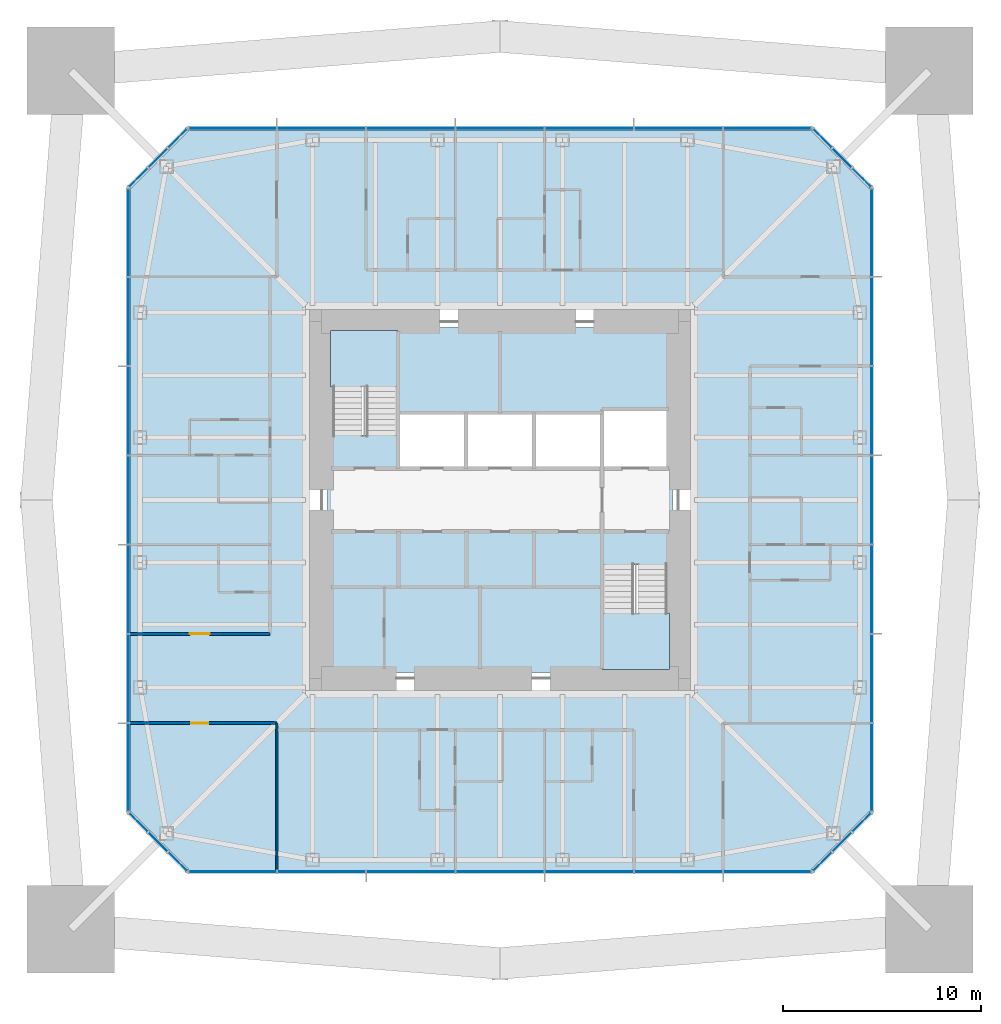
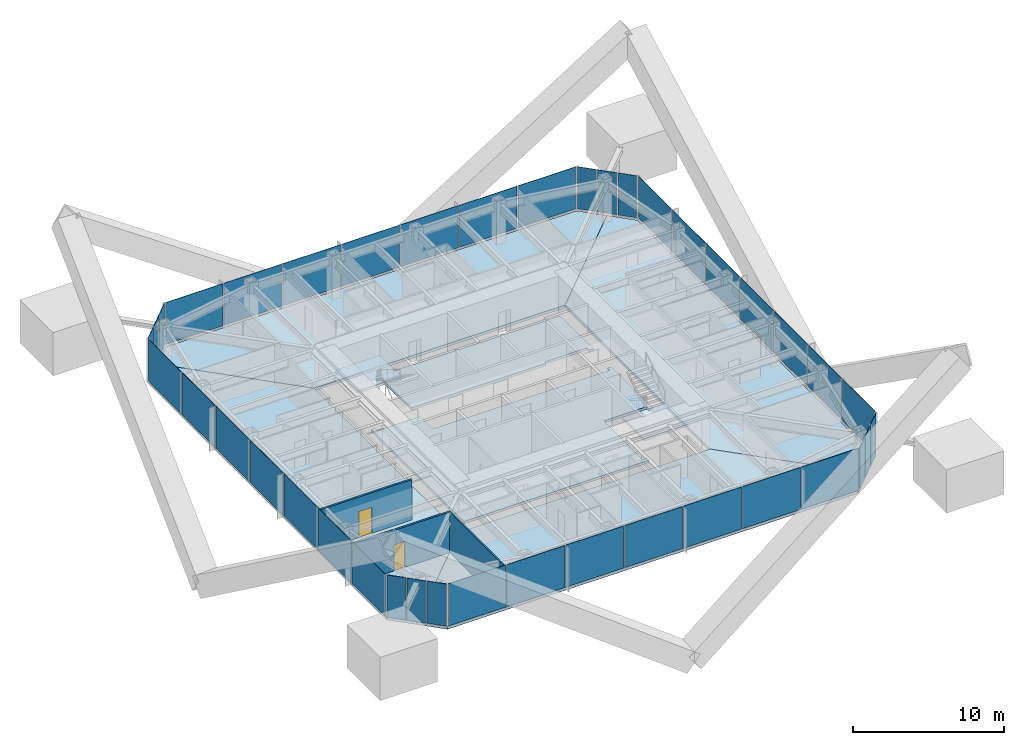
# One storey, part 7 of 13: 40 plates, 8 slabs, 3 walls, 2 doors, 2 openings, 10 elements without a shape of their own.
"""IFC4 building model written with IfcOpenShell, lengths in metres."""

from ifc_helpers import new_model, si_unit, direction, frame, frame_2d, origin, origin_2d, place, context, subcontext, project, spatial, polyline, rectangle, outline, extrude, material, layer, layer_set, constituent, constituent_set, type_object, element, fill, aggregate, save


model = new_model("IFC4")

# Units and contexts
model_context = context("Model", 3, precision=1e-05, world=origin(), true_north=direction((0.0, 1.0)))
body_context = subcontext(model_context, "Body", "Model", "MODEL_VIEW")
ifc_project = project(units=[si_unit("LENGTHUNIT", "METRE"), si_unit("AREAUNIT", "SQUARE_METRE"), si_unit("VOLUMEUNIT", "CUBIC_METRE"), si_unit("PLANEANGLEUNIT", "RADIAN"), si_unit("MASSUNIT", "GRAM", prefix="KILO")], contexts=[model_context])

# Site, building, storey
site_placement = place(None, origin())
site = spatial("IfcSite", under=ifc_project, at=site_placement, CompositionType="ELEMENT")
building_placement = place(site_placement, origin())
building = spatial("IfcBuilding", under=site, at=building_placement, Name="Iwan Alto Co-Living Towers", CompositionType="ELEMENT")
storey_placement = place(building_placement, frame((0.0, 0.0, 167.0)))
storey = spatial("IfcBuildingStorey", under=building, at=storey_placement, Name="L45", CompositionType="ELEMENT", Elevation=167.0)

# Slabs
ifc_material_1 = material(Name="Concrete f'c 30 MPa", Category="concrete")
ifc_layer_1 = layer(ifc_material_1, 0.199951171875)
ifc_layer_set_1 = layer_set([ifc_layer_1], Name="CORE FLOOR SLAB 200")
slab_type_1 = type_object("IfcSlabType", Name="CORE FLOOR SLAB 200", PredefinedType="FLOOR", material=ifc_layer_set_1)
slab_1_placement = place(storey_placement, frame((0.0, 0.0, -0.199951171875)))
element("IfcSlab", 1, at=slab_1_placement, inside=storey, type_object=slab_type_1, Name="T1 core floor L45", PredefinedType="FLOOR", context=body_context, shape_type="SweptSolid", body=[
    extrude(outline(polyline([(5.14990234375, -8.39990234375), (5.4599609375, -8.39990234375), (5.4599609375, -8.699951171875), (-8.699951171875, -8.699951171875), (-8.699951171875, 3.580078125), (-8.39990234375, 3.580078125), (-8.39990234375, 3.27001953125), (-5.14990234375, 3.27001953125), (-5.14990234375, 1.60009765625), (-1.717041015625, 1.60009765625), (1.717041015625, 1.60009765625), (5.14990234375, 1.60009765625), (8.39990234375, 1.60009765625), (8.39990234375, 1.909912109375), (8.699951171875, 1.909912109375), (8.699951171875, -3.580078125), (8.39990234375, -3.580078125), (8.39990234375, -3.27001953125), (5.14990234375, -3.27001953125), (5.14990234375, -8.39990234375)])), origin(), (0.0, 0.0, 1.0), 0.199951171875),
])
slab_2_placement = place(storey_placement, frame((0.0, 0.0, -0.199951171875)))
element("IfcSlab", 2, at=slab_2_placement, inside=storey, type_object=slab_type_1, Name="T1 core floor L45", PredefinedType="FLOOR", context=body_context, shape_type="SweptSolid", body=[
    extrude(outline(polyline([(1.717041015625, 4.39990234375), (-1.717041015625, 4.39990234375), (-5.14990234375, 4.39990234375), (-5.14990234375, 8.39990234375), (-5.4599609375, 8.39990234375), (-5.4599609375, 8.699951171875), (8.699951171875, 8.699951171875), (8.699951171875, 4.2900390625), (8.39990234375, 4.2900390625), (8.39990234375, 4.60009765625), (5.14990234375, 4.60009765625), (5.14990234375, 4.39990234375), (1.717041015625, 4.39990234375)])), origin(), (0.0, 0.0, 1.0), 0.199951171875),
])

# Curtain wall, plates
ifc_material_2 = material(Name="Bronze aluminium unitised frame", Category="aluminium")
curtain_wall_type_1 = type_object("IfcCurtainWallType", Name="CURTAIN WALL CW-A", PredefinedType="NOTDEFINED", material=ifc_material_2)
curtain_wall_1_placement = place(storey_placement, origin())
curtain_wall_1 = element("IfcCurtainWall", 3, at=curtain_wall_1_placement, inside=storey, type_object=curtain_wall_type_1, Name="T1 curtain wall S L45", PredefinedType="NOTDEFINED")
ifc_material_3 = material(Name="Bronze-tinted insulating glass", Category="glass")
ifc_layer_2 = layer(ifc_material_3, 0.031982421875)
ifc_layer_set_2 = layer_set([ifc_layer_2], Name="CW-A PANEL TINTED IGU 32")
plate_type_1 = type_object("IfcPlateType", Name="CW-A PANEL TINTED IGU 32", PredefinedType="CURTAIN_PANEL", material=ifc_layer_set_2)
plate_1_placement = place(storey_placement, frame((-13.47998046875, -18.75, 0.10009765625), z_axis=(0.0, 0.0, 1.0), x_axis=(1.0, 0.0, 0.0)))
plate_1 = element("IfcPlate", 4, at=plate_1_placement, type_object=plate_type_1, Name="CW-A panel 1.1", PredefinedType="CURTAIN_PANEL", context=body_context, shape_type="SweptSolid", body=[
    extrude(rectangle(XDim=4.3798828125, YDim=0.031982421875, at=origin_2d()), origin(), (0.0, 0.0, 1.0), 3.39990234375),
])
plate_2_placement = place(storey_placement, frame((-9.0, -18.75, 0.10009765625), z_axis=(0.0, 0.0, 1.0), x_axis=(1.0, 0.0, 0.0)))
plate_2 = element("IfcPlate", 5, at=plate_2_placement, type_object=plate_type_1, Name="CW-A panel 2.1", PredefinedType="CURTAIN_PANEL", context=body_context, shape_type="SweptSolid", body=[
    extrude(rectangle(XDim=4.419921875, YDim=0.031982421875, at=origin_2d()), origin(), (0.0, 0.0, 1.0), 3.39990234375),
])
plate_3_placement = place(storey_placement, frame((-4.5, -18.75, 0.10009765625), z_axis=(0.0, 0.0, 1.0), x_axis=(1.0, 0.0, 0.0)))
plate_3 = element("IfcPlate", 6, at=plate_3_placement, type_object=plate_type_1, Name="CW-A panel 3.1", PredefinedType="CURTAIN_PANEL", context=body_context, shape_type="SweptSolid", body=[
    extrude(rectangle(XDim=4.419921875, YDim=0.031982421875, at=origin_2d()), origin(), (0.0, 0.0, 1.0), 3.39990234375),
])
plate_4_placement = place(storey_placement, frame((0.0, -18.75, 0.10009765625), z_axis=(0.0, 0.0, 1.0), x_axis=(1.0, 0.0, 0.0)))
plate_4 = element("IfcPlate", 7, at=plate_4_placement, type_object=plate_type_1, Name="CW-A panel 4.1", PredefinedType="CURTAIN_PANEL", context=body_context, shape_type="SweptSolid", body=[
    extrude(rectangle(XDim=4.419921875, YDim=0.031982421875, at=origin_2d()), origin(), (0.0, 0.0, 1.0), 3.39990234375),
])
plate_5_placement = place(storey_placement, frame((4.5, -18.75, 0.10009765625), z_axis=(0.0, 0.0, 1.0), x_axis=(1.0, 0.0, 0.0)))
plate_5 = element("IfcPlate", 8, at=plate_5_placement, type_object=plate_type_1, Name="CW-A panel 5.1", PredefinedType="CURTAIN_PANEL", context=body_context, shape_type="SweptSolid", body=[
    extrude(rectangle(XDim=4.419921875, YDim=0.031982421875, at=origin_2d()), origin(), (0.0, 0.0, 1.0), 3.39990234375),
])
plate_6_placement = place(storey_placement, frame((9.0, -18.75, 0.10009765625), z_axis=(0.0, 0.0, 1.0), x_axis=(1.0, 0.0, 0.0)))
plate_6 = element("IfcPlate", 9, at=plate_6_placement, type_object=plate_type_1, Name="CW-A panel 6.1", PredefinedType="CURTAIN_PANEL", context=body_context, shape_type="SweptSolid", body=[
    extrude(rectangle(XDim=4.419921875, YDim=0.031982421875, at=origin_2d()), origin(), (0.0, 0.0, 1.0), 3.39990234375),
])
plate_7_placement = place(storey_placement, frame((13.47998046875, -18.75, 0.10009765625), z_axis=(0.0, 0.0, 1.0), x_axis=(1.0, 0.0, 0.0)))
plate_7 = element("IfcPlate", 10, at=plate_7_placement, type_object=plate_type_1, Name="CW-A panel 7.1", PredefinedType="CURTAIN_PANEL", context=body_context, shape_type="SweptSolid", body=[
    extrude(rectangle(XDim=4.3798828125, YDim=0.031982421875, at=origin_2d()), origin(), (0.0, 0.0, 1.0), 3.39990234375),
])
aggregate(curtain_wall_1, [plate_1, plate_2, plate_3, plate_4, plate_5, plate_6, plate_7])

curtain_wall_2_placement = place(storey_placement, origin())
curtain_wall_2 = element("IfcCurtainWall", 11, at=curtain_wall_2_placement, inside=storey, type_object=curtain_wall_type_1, Name="T1 curtain wall E L45", PredefinedType="NOTDEFINED")
plate_8_placement = place(storey_placement, frame((18.75, -13.47998046875, 0.10009765625), z_axis=(0.0, 0.0, 1.0), x_axis=(0.0, 1.0, 0.0)))
plate_8 = element("IfcPlate", 12, at=plate_8_placement, type_object=plate_type_1, Name="CW-A panel 1.1", PredefinedType="CURTAIN_PANEL", context=body_context, shape_type="SweptSolid", body=[
    extrude(rectangle(XDim=4.3798828125, YDim=0.031982421875, at=origin_2d()), origin(), (0.0, 0.0, 1.0), 3.39990234375),
])
plate_9_placement = place(storey_placement, frame((18.75, -9.0, 0.10009765625), z_axis=(0.0, 0.0, 1.0), x_axis=(0.0, 1.0, 0.0)))
plate_9 = element("IfcPlate", 13, at=plate_9_placement, type_object=plate_type_1, Name="CW-A panel 2.1", PredefinedType="CURTAIN_PANEL", context=body_context, shape_type="SweptSolid", body=[
    extrude(rectangle(XDim=4.419921875, YDim=0.031982421875, at=origin_2d()), origin(), (0.0, 0.0, 1.0), 3.39990234375),
])
plate_10_placement = place(storey_placement, frame((18.75, -4.5, 0.10009765625), z_axis=(0.0, 0.0, 1.0), x_axis=(0.0, 1.0, 0.0)))
plate_10 = element("IfcPlate", 14, at=plate_10_placement, type_object=plate_type_1, Name="CW-A panel 3.1", PredefinedType="CURTAIN_PANEL", context=body_context, shape_type="SweptSolid", body=[
    extrude(rectangle(XDim=4.419921875, YDim=0.031982421875, at=origin_2d()), origin(), (0.0, 0.0, 1.0), 3.39990234375),
])
plate_11_placement = place(storey_placement, frame((18.75, 0.0, 0.10009765625), z_axis=(0.0, 0.0, 1.0), x_axis=(0.0, 1.0, 0.0)))
plate_11 = element("IfcPlate", 15, at=plate_11_placement, type_object=plate_type_1, Name="CW-A panel 4.1", PredefinedType="CURTAIN_PANEL", context=body_context, shape_type="SweptSolid", body=[
    extrude(rectangle(XDim=4.419921875, YDim=0.031982421875, at=origin_2d()), origin(), (0.0, 0.0, 1.0), 3.39990234375),
])
plate_12_placement = place(storey_placement, frame((18.75, 4.5, 0.10009765625), z_axis=(0.0, 0.0, 1.0), x_axis=(0.0, 1.0, 0.0)))
plate_12 = element("IfcPlate", 16, at=plate_12_placement, type_object=plate_type_1, Name="CW-A panel 5.1", PredefinedType="CURTAIN_PANEL", context=body_context, shape_type="SweptSolid", body=[
    extrude(rectangle(XDim=4.419921875, YDim=0.031982421875, at=origin_2d()), origin(), (0.0, 0.0, 1.0), 3.39990234375),
])
plate_13_placement = place(storey_placement, frame((18.75, 9.0, 0.10009765625), z_axis=(0.0, 0.0, 1.0), x_axis=(0.0, 1.0, 0.0)))
plate_13 = element("IfcPlate", 17, at=plate_13_placement, type_object=plate_type_1, Name="CW-A panel 6.1", PredefinedType="CURTAIN_PANEL", context=body_context, shape_type="SweptSolid", body=[
    extrude(rectangle(XDim=4.419921875, YDim=0.031982421875, at=origin_2d()), origin(), (0.0, 0.0, 1.0), 3.39990234375),
])
plate_14_placement = place(storey_placement, frame((18.75, 13.47998046875, 0.10009765625), z_axis=(0.0, 0.0, 1.0), x_axis=(0.0, 1.0, 0.0)))
plate_14 = element("IfcPlate", 18, at=plate_14_placement, type_object=plate_type_1, Name="CW-A panel 7.1", PredefinedType="CURTAIN_PANEL", context=body_context, shape_type="SweptSolid", body=[
    extrude(rectangle(XDim=4.3798828125, YDim=0.031982421875, at=origin_2d()), origin(), (0.0, 0.0, 1.0), 3.39990234375),
])
aggregate(curtain_wall_2, [plate_8, plate_9, plate_10, plate_11, plate_12, plate_13, plate_14])

curtain_wall_3_placement = place(storey_placement, origin())
curtain_wall_3 = element("IfcCurtainWall", 19, at=curtain_wall_3_placement, inside=storey, type_object=curtain_wall_type_1, Name="T1 curtain wall N L45", PredefinedType="NOTDEFINED")
plate_15_placement = place(storey_placement, frame((13.47998046875, 18.75, 0.10009765625), z_axis=(0.0, 0.0, 1.0), x_axis=(-1.0, 0.0, 0.0)))
plate_15 = element("IfcPlate", 20, at=plate_15_placement, type_object=plate_type_1, Name="CW-A panel 1.1", PredefinedType="CURTAIN_PANEL", context=body_context, shape_type="SweptSolid", body=[
    extrude(rectangle(XDim=4.3798828125, YDim=0.031982421875, at=origin_2d()), origin(), (0.0, 0.0, 1.0), 3.39990234375),
])
plate_16_placement = place(storey_placement, frame((9.0, 18.75, 0.10009765625), z_axis=(0.0, 0.0, 1.0), x_axis=(-1.0, 0.0, 0.0)))
plate_16 = element("IfcPlate", 21, at=plate_16_placement, type_object=plate_type_1, Name="CW-A panel 2.1", PredefinedType="CURTAIN_PANEL", context=body_context, shape_type="SweptSolid", body=[
    extrude(rectangle(XDim=4.419921875, YDim=0.031982421875, at=origin_2d()), origin(), (0.0, 0.0, 1.0), 3.39990234375),
])
plate_17_placement = place(storey_placement, frame((4.5, 18.75, 0.10009765625), z_axis=(0.0, 0.0, 1.0), x_axis=(-1.0, 0.0, 0.0)))
plate_17 = element("IfcPlate", 22, at=plate_17_placement, type_object=plate_type_1, Name="CW-A panel 3.1", PredefinedType="CURTAIN_PANEL", context=body_context, shape_type="SweptSolid", body=[
    extrude(rectangle(XDim=4.419921875, YDim=0.031982421875, at=origin_2d()), origin(), (0.0, 0.0, 1.0), 3.39990234375),
])
plate_18_placement = place(storey_placement, frame((0.0, 18.75, 0.10009765625), z_axis=(0.0, 0.0, 1.0), x_axis=(-1.0, 0.0, 0.0)))
plate_18 = element("IfcPlate", 23, at=plate_18_placement, type_object=plate_type_1, Name="CW-A panel 4.1", PredefinedType="CURTAIN_PANEL", context=body_context, shape_type="SweptSolid", body=[
    extrude(rectangle(XDim=4.419921875, YDim=0.031982421875, at=origin_2d()), origin(), (0.0, 0.0, 1.0), 3.39990234375),
])
plate_19_placement = place(storey_placement, frame((-4.5, 18.75, 0.10009765625), z_axis=(0.0, 0.0, 1.0), x_axis=(-1.0, 0.0, 0.0)))
plate_19 = element("IfcPlate", 24, at=plate_19_placement, type_object=plate_type_1, Name="CW-A panel 5.1", PredefinedType="CURTAIN_PANEL", context=body_context, shape_type="SweptSolid", body=[
    extrude(rectangle(XDim=4.419921875, YDim=0.031982421875, at=origin_2d()), origin(), (0.0, 0.0, 1.0), 3.39990234375),
])
plate_20_placement = place(storey_placement, frame((-9.0, 18.75, 0.10009765625), z_axis=(0.0, 0.0, 1.0), x_axis=(-1.0, 0.0, 0.0)))
plate_20 = element("IfcPlate", 25, at=plate_20_placement, type_object=plate_type_1, Name="CW-A panel 6.1", PredefinedType="CURTAIN_PANEL", context=body_context, shape_type="SweptSolid", body=[
    extrude(rectangle(XDim=4.419921875, YDim=0.031982421875, at=origin_2d()), origin(), (0.0, 0.0, 1.0), 3.39990234375),
])
plate_21_placement = place(storey_placement, frame((-13.47998046875, 18.75, 0.10009765625), z_axis=(0.0, 0.0, 1.0), x_axis=(-1.0, 0.0, 0.0)))
plate_21 = element("IfcPlate", 26, at=plate_21_placement, type_object=plate_type_1, Name="CW-A panel 7.1", PredefinedType="CURTAIN_PANEL", context=body_context, shape_type="SweptSolid", body=[
    extrude(rectangle(XDim=4.3798828125, YDim=0.031982421875, at=origin_2d()), origin(), (0.0, 0.0, 1.0), 3.39990234375),
])
aggregate(curtain_wall_3, [plate_15, plate_16, plate_17, plate_18, plate_19, plate_20, plate_21])

curtain_wall_4_placement = place(storey_placement, origin())
curtain_wall_4 = element("IfcCurtainWall", 27, at=curtain_wall_4_placement, inside=storey, type_object=curtain_wall_type_1, Name="T1 curtain wall W L45", PredefinedType="NOTDEFINED")
plate_22_placement = place(storey_placement, frame((-18.75, 13.47998046875, 0.10009765625), z_axis=(0.0, 0.0, 1.0), x_axis=(0.0, -1.0, 0.0)))
plate_22 = element("IfcPlate", 28, at=plate_22_placement, type_object=plate_type_1, Name="CW-A panel 1.1", PredefinedType="CURTAIN_PANEL", context=body_context, shape_type="SweptSolid", body=[
    extrude(rectangle(XDim=4.3798828125, YDim=0.031982421875, at=origin_2d()), origin(), (0.0, 0.0, 1.0), 3.39990234375),
])
plate_23_placement = place(storey_placement, frame((-18.75, 9.0, 0.10009765625), z_axis=(0.0, 0.0, 1.0), x_axis=(0.0, -1.0, 0.0)))
plate_23 = element("IfcPlate", 29, at=plate_23_placement, type_object=plate_type_1, Name="CW-A panel 2.1", PredefinedType="CURTAIN_PANEL", context=body_context, shape_type="SweptSolid", body=[
    extrude(rectangle(XDim=4.419921875, YDim=0.031982421875, at=origin_2d()), origin(), (0.0, 0.0, 1.0), 3.39990234375),
])
plate_24_placement = place(storey_placement, frame((-18.75, 4.5, 0.10009765625), z_axis=(0.0, 0.0, 1.0), x_axis=(0.0, -1.0, 0.0)))
plate_24 = element("IfcPlate", 30, at=plate_24_placement, type_object=plate_type_1, Name="CW-A panel 3.1", PredefinedType="CURTAIN_PANEL", context=body_context, shape_type="SweptSolid", body=[
    extrude(rectangle(XDim=4.419921875, YDim=0.031982421875, at=origin_2d()), origin(), (0.0, 0.0, 1.0), 3.39990234375),
])
plate_25_placement = place(storey_placement, frame((-18.75, 0.0, 0.10009765625), z_axis=(0.0, 0.0, 1.0), x_axis=(0.0, -1.0, 0.0)))
plate_25 = element("IfcPlate", 31, at=plate_25_placement, type_object=plate_type_1, Name="CW-A panel 4.1", PredefinedType="CURTAIN_PANEL", context=body_context, shape_type="SweptSolid", body=[
    extrude(rectangle(XDim=4.419921875, YDim=0.031982421875, at=origin_2d()), origin(), (0.0, 0.0, 1.0), 3.39990234375),
])
plate_26_placement = place(storey_placement, frame((-18.75, -4.5, 0.10009765625), z_axis=(0.0, 0.0, 1.0), x_axis=(0.0, -1.0, 0.0)))
plate_26 = element("IfcPlate", 32, at=plate_26_placement, type_object=plate_type_1, Name="CW-A panel 5.1", PredefinedType="CURTAIN_PANEL", context=body_context, shape_type="SweptSolid", body=[
    extrude(rectangle(XDim=4.419921875, YDim=0.031982421875, at=origin_2d()), origin(), (0.0, 0.0, 1.0), 3.39990234375),
])
plate_27_placement = place(storey_placement, frame((-18.75, -9.0, 0.10009765625), z_axis=(0.0, 0.0, 1.0), x_axis=(0.0, -1.0, 0.0)))
plate_27 = element("IfcPlate", 33, at=plate_27_placement, type_object=plate_type_1, Name="CW-A panel 6.1", PredefinedType="CURTAIN_PANEL", context=body_context, shape_type="SweptSolid", body=[
    extrude(rectangle(XDim=4.419921875, YDim=0.031982421875, at=origin_2d()), origin(), (0.0, 0.0, 1.0), 3.39990234375),
])
plate_28_placement = place(storey_placement, frame((-18.75, -13.47998046875, 0.10009765625), z_axis=(0.0, 0.0, 1.0), x_axis=(0.0, -1.0, 0.0)))
plate_28 = element("IfcPlate", 34, at=plate_28_placement, type_object=plate_type_1, Name="CW-A panel 7.1", PredefinedType="CURTAIN_PANEL", context=body_context, shape_type="SweptSolid", body=[
    extrude(rectangle(XDim=4.3798828125, YDim=0.031982421875, at=origin_2d()), origin(), (0.0, 0.0, 1.0), 3.39990234375),
])
aggregate(curtain_wall_4, [plate_22, plate_23, plate_24, plate_25, plate_26, plate_27, plate_28])

ifc_material_4 = material(Name="Bronze aluminium unitised frame", Category="aluminium")
curtain_wall_type_2 = type_object("IfcCurtainWallType", Name="CURTAIN WALL CW-B", PredefinedType="NOTDEFINED", material=ifc_material_4)
curtain_wall_5_placement = place(storey_placement, origin())
curtain_wall_5 = element("IfcCurtainWall", 35, at=curtain_wall_5_placement, inside=storey, type_object=curtain_wall_type_2, Name="T1 chamfer curtain wall SE L45", PredefinedType="NOTDEFINED")
ifc_material_5 = material(Name="Bronze-tinted insulating glass", Category="glass")
ifc_layer_3 = layer(ifc_material_5, 0.031982421875)
ifc_layer_set_3 = layer_set([ifc_layer_3], Name="CW-B PANEL TINTED IGU 32")
plate_type_2 = type_object("IfcPlateType", Name="CW-B PANEL TINTED IGU 32", PredefinedType="CURTAIN_PANEL", material=ifc_layer_set_3)
plate_29_placement = place(storey_placement, frame((16.26416015625, -18.23583984375, 0.10009765625), z_axis=(0.0, 0.0, 1.0), x_axis=(0.707106781187, 0.707106781187, 0.0)))
plate_29 = element("IfcPlate", 36, at=plate_29_placement, type_object=plate_type_2, Name="CW-B panel 1.1", PredefinedType="CURTAIN_PANEL", context=body_context, shape_type="SweptSolid", body=[
    extrude(rectangle(XDim=1.294189453125, YDim=0.031982421875, at=origin_2d()), origin(), (0.0, 0.0, 1.0), 3.39990234375),
])
plate_30_placement = place(storey_placement, frame((17.25, -17.25, 0.10009765625), z_axis=(0.0, 0.0, 1.0), x_axis=(0.707106781187, 0.707106781187, 0.0)))
plate_30 = element("IfcPlate", 37, at=plate_30_placement, type_object=plate_type_2, Name="CW-B panel 2.1", PredefinedType="CURTAIN_PANEL", context=body_context, shape_type="SweptSolid", body=[
    extrude(rectangle(XDim=1.334228515625, YDim=0.031982421875, at=origin_2d()), origin(), (0.0, 0.0, 1.0), 3.39990234375),
])
plate_31_placement = place(storey_placement, frame((18.23583984375, -16.26416015625, 0.10009765625), z_axis=(0.0, 0.0, 1.0), x_axis=(0.707106781187, 0.707106781187, 0.0)))
plate_31 = element("IfcPlate", 38, at=plate_31_placement, type_object=plate_type_2, Name="CW-B panel 3.1", PredefinedType="CURTAIN_PANEL", context=body_context, shape_type="SweptSolid", body=[
    extrude(rectangle(XDim=1.294189453125, YDim=0.031982421875, at=origin_2d()), origin(), (0.0, 0.0, 1.0), 3.39990234375),
])
aggregate(curtain_wall_5, [plate_29, plate_30, plate_31])

curtain_wall_6_placement = place(storey_placement, origin())
curtain_wall_6 = element("IfcCurtainWall", 39, at=curtain_wall_6_placement, inside=storey, type_object=curtain_wall_type_2, Name="T1 chamfer curtain wall NE L45", PredefinedType="NOTDEFINED")
plate_32_placement = place(storey_placement, frame((18.23583984375, 16.26416015625, 0.10009765625), z_axis=(0.0, 0.0, 1.0), x_axis=(-0.707106781187, 0.707106781187, 0.0)))
plate_32 = element("IfcPlate", 40, at=plate_32_placement, type_object=plate_type_2, Name="CW-B panel 1.1", PredefinedType="CURTAIN_PANEL", context=body_context, shape_type="SweptSolid", body=[
    extrude(rectangle(XDim=1.294189453125, YDim=0.031982421875, at=origin_2d()), origin(), (0.0, 0.0, 1.0), 3.39990234375),
])
plate_33_placement = place(storey_placement, frame((17.25, 17.25, 0.10009765625), z_axis=(0.0, 0.0, 1.0), x_axis=(-0.707106781187, 0.707106781187, 0.0)))
plate_33 = element("IfcPlate", 41, at=plate_33_placement, type_object=plate_type_2, Name="CW-B panel 2.1", PredefinedType="CURTAIN_PANEL", context=body_context, shape_type="SweptSolid", body=[
    extrude(rectangle(XDim=1.334228515625, YDim=0.031982421875, at=origin_2d()), origin(), (0.0, 0.0, 1.0), 3.39990234375),
])
plate_34_placement = place(storey_placement, frame((16.26416015625, 18.23583984375, 0.10009765625), z_axis=(0.0, 0.0, 1.0), x_axis=(-0.707106781187, 0.707106781187, 0.0)))
plate_34 = element("IfcPlate", 42, at=plate_34_placement, type_object=plate_type_2, Name="CW-B panel 3.1", PredefinedType="CURTAIN_PANEL", context=body_context, shape_type="SweptSolid", body=[
    extrude(rectangle(XDim=1.294189453125, YDim=0.031982421875, at=origin_2d()), origin(), (0.0, 0.0, 1.0), 3.39990234375),
])
aggregate(curtain_wall_6, [plate_32, plate_33, plate_34])

curtain_wall_7_placement = place(storey_placement, origin())
curtain_wall_7 = element("IfcCurtainWall", 43, at=curtain_wall_7_placement, inside=storey, type_object=curtain_wall_type_2, Name="T1 chamfer curtain wall NW L45", PredefinedType="NOTDEFINED")
plate_35_placement = place(storey_placement, frame((-16.26416015625, 18.23583984375, 0.10009765625), z_axis=(0.0, 0.0, 1.0), x_axis=(-0.707106781187, -0.707106781187, 0.0)))
plate_35 = element("IfcPlate", 44, at=plate_35_placement, type_object=plate_type_2, Name="CW-B panel 1.1", PredefinedType="CURTAIN_PANEL", context=body_context, shape_type="SweptSolid", body=[
    extrude(rectangle(XDim=1.294189453125, YDim=0.031982421875, at=origin_2d()), origin(), (0.0, 0.0, 1.0), 3.39990234375),
])
plate_36_placement = place(storey_placement, frame((-17.25, 17.25, 0.10009765625), z_axis=(0.0, 0.0, 1.0), x_axis=(-0.707106781187, -0.707106781187, 0.0)))
plate_36 = element("IfcPlate", 45, at=plate_36_placement, type_object=plate_type_2, Name="CW-B panel 2.1", PredefinedType="CURTAIN_PANEL", context=body_context, shape_type="SweptSolid", body=[
    extrude(rectangle(XDim=1.334228515625, YDim=0.031982421875, at=origin_2d()), origin(), (0.0, 0.0, 1.0), 3.39990234375),
])
plate_37_placement = place(storey_placement, frame((-18.23583984375, 16.26416015625, 0.10009765625), z_axis=(0.0, 0.0, 1.0), x_axis=(-0.707106781187, -0.707106781187, 0.0)))
plate_37 = element("IfcPlate", 46, at=plate_37_placement, type_object=plate_type_2, Name="CW-B panel 3.1", PredefinedType="CURTAIN_PANEL", context=body_context, shape_type="SweptSolid", body=[
    extrude(rectangle(XDim=1.294189453125, YDim=0.031982421875, at=origin_2d()), origin(), (0.0, 0.0, 1.0), 3.39990234375),
])
aggregate(curtain_wall_7, [plate_35, plate_36, plate_37])

curtain_wall_8_placement = place(storey_placement, origin())
curtain_wall_8 = element("IfcCurtainWall", 47, at=curtain_wall_8_placement, inside=storey, type_object=curtain_wall_type_2, Name="T1 chamfer curtain wall SW L45", PredefinedType="NOTDEFINED")
plate_38_placement = place(storey_placement, frame((-18.23583984375, -16.26416015625, 0.10009765625), z_axis=(0.0, 0.0, 1.0), x_axis=(0.707106781187, -0.707106781187, 0.0)))
plate_38 = element("IfcPlate", 48, at=plate_38_placement, type_object=plate_type_2, Name="CW-B panel 1.1", PredefinedType="CURTAIN_PANEL", context=body_context, shape_type="SweptSolid", body=[
    extrude(rectangle(XDim=1.294189453125, YDim=0.031982421875, at=origin_2d()), origin(), (0.0, 0.0, 1.0), 3.39990234375),
])
plate_39_placement = place(storey_placement, frame((-17.25, -17.25, 0.10009765625), z_axis=(0.0, 0.0, 1.0), x_axis=(0.707106781187, -0.707106781187, 0.0)))
plate_39 = element("IfcPlate", 49, at=plate_39_placement, type_object=plate_type_2, Name="CW-B panel 2.1", PredefinedType="CURTAIN_PANEL", context=body_context, shape_type="SweptSolid", body=[
    extrude(rectangle(XDim=1.334228515625, YDim=0.031982421875, at=origin_2d()), origin(), (0.0, 0.0, 1.0), 3.39990234375),
])
plate_40_placement = place(storey_placement, frame((-16.26416015625, -18.23583984375, 0.10009765625), z_axis=(0.0, 0.0, 1.0), x_axis=(0.707106781187, -0.707106781187, 0.0)))
plate_40 = element("IfcPlate", 50, at=plate_40_placement, type_object=plate_type_2, Name="CW-B panel 3.1", PredefinedType="CURTAIN_PANEL", context=body_context, shape_type="SweptSolid", body=[
    extrude(rectangle(XDim=1.294189453125, YDim=0.031982421875, at=origin_2d()), origin(), (0.0, 0.0, 1.0), 3.39990234375),
])
aggregate(curtain_wall_8, [plate_38, plate_39, plate_40])

# Stair, slab
ifc_material_6 = material(Name="Steel ASTM A36", Category="steel")
ifc_constituent_1 = constituent(ifc_material_6, Name="Stringers", Category="LoadBearing")
ifc_material_7 = material(Name="Concrete f'c 30 MPa", Category="concrete")
ifc_constituent_2 = constituent(ifc_material_7, Name="Tread fill", Category="Finish")
ifc_constituent_set = constituent_set(constituents=[ifc_constituent_1, ifc_constituent_2], Name="STAIR 3500 TWO-FLIGHT T1 CORE")
stair_type = type_object("IfcStairType", Name="STAIR 3500 TWO-FLIGHT T1 CORE", PredefinedType="HALF_TURN_STAIR", material=ifc_constituent_set)
stair_1_placement = place(storey_placement, origin())
stair_1 = element("IfcStair", 51, at=stair_1_placement, inside=storey, type_object=stair_type, Name="Stair T1-S1 L45 to L46", PredefinedType="HALF_TURN_STAIR")
ifc_material_8 = material(Name="Concrete f'c 30 MPa", Category="concrete")
ifc_layer_4 = layer(ifc_material_8, 0.199951171875)
ifc_layer_set_4 = layer_set([ifc_layer_4], Name="STAIR LANDING 200")
slab_type_2 = type_object("IfcSlabType", Name="STAIR LANDING 200", PredefinedType="LANDING", material=ifc_layer_set_4)
slab_3_placement = place(storey_placement, frame((0.0, 0.0, 1.550048828125)))
slab_3 = element("IfcSlab", 52, at=slab_3_placement, type_object=slab_type_2, Name="T1-S1 landing 1", PredefinedType="LANDING", context=body_context, shape_type="SweptSolid", body=[
    extrude(outline(polyline([(-8.550048828125, 5.68994140625), (-8.550048828125, 8.550048828125), (-5.14990234375, 8.550048828125), (-5.14990234375, 5.68994140625), (-8.550048828125, 5.68994140625)])), origin(), (0.0, 0.0, 1.0), 0.199951171875),
])
aggregate(stair_1, [slab_3])

stair_2_placement = place(storey_placement, origin())
stair_2 = element("IfcStair", 53, at=stair_2_placement, inside=storey, type_object=stair_type, Name="Stair T1-S2 L45 to L46", PredefinedType="HALF_TURN_STAIR")
slab_4_placement = place(storey_placement, frame((0.0, 0.0, 1.550048828125)))
slab_4 = element("IfcSlab", 54, at=slab_4_placement, type_object=slab_type_2, Name="T1-S2 landing 1", PredefinedType="LANDING", context=body_context, shape_type="SweptSolid", body=[
    extrude(outline(polyline([(5.14990234375, -5.68994140625), (5.14990234375, -8.550048828125), (8.550048828125, -8.550048828125), (8.550048828125, -5.68994140625), (5.14990234375, -5.68994140625)])), origin(), (0.0, 0.0, 1.0), 0.199951171875),
])
aggregate(stair_2, [slab_4])

# Slabs
ifc_material_9 = material(Name="Concrete f'c 30 MPa", Category="concrete")
ifc_layer_5 = layer(ifc_material_9, 0.22998046875)
ifc_layer_set_5 = layer_set([ifc_layer_5], Name="T1 FLOOR SLAB 230")
slab_type_3 = type_object("IfcSlabType", Name="T1 FLOOR SLAB 230", PredefinedType="FLOOR", material=ifc_layer_set_5)
slab_5_placement = place(storey_placement, frame((0.0, 0.0, -0.22998046875)))
element("IfcSlab", 55, at=slab_5_placement, inside=storey, type_object=slab_type_3, Name="T1 floor slab L45 S pour", PredefinedType="FLOOR", context=body_context, shape_type="SweptSolid", body=[
    extrude(outline(polyline([(15.69140625, -18.64990234375), (-15.69140625, -18.64990234375), (-17.170654296875, -17.170654296875), (-9.60009765625, -9.60009765625), (9.60009765625, -9.60009765625), (17.170654296875, -17.170654296875), (15.69140625, -18.64990234375)])), origin(), (0.0, 0.0, 1.0), 0.22998046875),
])
slab_6_placement = place(storey_placement, frame((0.0, 0.0, -0.22998046875)))
element("IfcSlab", 56, at=slab_6_placement, inside=storey, type_object=slab_type_3, Name="T1 floor slab L45 E pour", PredefinedType="FLOOR", context=body_context, shape_type="SweptSolid", body=[
    extrude(outline(polyline([(18.64990234375, 15.69140625), (18.64990234375, -15.69140625), (17.170654296875, -17.170654296875), (9.60009765625, -9.60009765625), (9.60009765625, 9.60009765625), (17.170654296875, 17.170654296875), (18.64990234375, 15.69140625)])), origin(), (0.0, 0.0, 1.0), 0.22998046875),
])
slab_7_placement = place(storey_placement, frame((0.0, 0.0, -0.22998046875)))
element("IfcSlab", 57, at=slab_7_placement, inside=storey, type_object=slab_type_3, Name="T1 floor slab L45 N pour", PredefinedType="FLOOR", context=body_context, shape_type="SweptSolid", body=[
    extrude(outline(polyline([(-15.69140625, 18.64990234375), (15.69140625, 18.64990234375), (17.170654296875, 17.170654296875), (9.60009765625, 9.60009765625), (-9.60009765625, 9.60009765625), (-17.170654296875, 17.170654296875), (-15.69140625, 18.64990234375)])), origin(), (0.0, 0.0, 1.0), 0.22998046875),
])
slab_8_placement = place(storey_placement, frame((0.0, 0.0, -0.22998046875)))
element("IfcSlab", 58, at=slab_8_placement, inside=storey, type_object=slab_type_3, Name="T1 floor slab L45 W pour", PredefinedType="FLOOR", context=body_context, shape_type="SweptSolid", body=[
    extrude(outline(polyline([(-18.64990234375, 15.69140625), (-17.170654296875, 17.170654296875), (-9.60009765625, 9.60009765625), (-9.60009765625, -9.60009765625), (-17.170654296875, -17.170654296875), (-18.64990234375, -15.69140625), (-18.64990234375, 15.69140625)])), origin(), (0.0, 0.0, 1.0), 0.22998046875),
])

# Wall, opening, door
ifc_material_10 = material(Name="Gypsum board")
ifc_layer_6 = layer(ifc_material_10, 0.02490234375, Name="Board", Category="Finish")
ifc_material_11 = material(Name="Steel ASTM A1003 ST33H cold-formed studs", Category="steel")
ifc_layer_7 = layer(ifc_material_11, 0.10009765625, Name="Studs", Category="Framing")
ifc_layer_8 = layer(ifc_material_10, 0.02490234375, Name="Board", Category="Finish")
ifc_layer_set_6 = layer_set([ifc_layer_6, ifc_layer_7, ifc_layer_8], Name="CORRIDOR WALL 150")
wall_type_1 = type_object("IfcWallType", Name="CORRIDOR WALL 150", PredefinedType="PARTITIONING", material=ifc_layer_set_6)
wall_1_placement = place(storey_placement, frame((-18.68994140625, -11.25, 0.0), z_axis=(0.0, 0.0, 1.0), x_axis=(1.0, 0.0, 0.0)))
wall_1 = element("IfcWall", 59, at=wall_1_placement, inside=storey, type_object=wall_type_1, Name="Partition L45", PredefinedType="PARTITIONING", context=body_context, shape_type="SweptSolid", body=[
    extrude(rectangle(XDim=7.43994140625, YDim=0.14990234375, at=frame_2d((3.719970703125, 0.0))), origin(), (0.0, 0.0, 1.0), 3.27001953125),
])
opening_1_placement = place(wall_1_placement, frame((3.1201171875, 0.0, 0.0)))
opening_1 = element("IfcOpeningElement", 60, at=opening_1_placement, cuts=wall_1, Name="Opening D2", PredefinedType="OPENING", context=body_context, shape_type="SweptSolid", body=[
    extrude(rectangle(XDim=0.85009765625, YDim=2.10009765625, at=frame_2d((0.425048828125, 1.050048828125))), frame((0.0, 0.0849609375, 0.0), z_axis=(0.0, -1.0, 0.0), x_axis=(1.0, 0.0, 0.0)), (0.0, 0.0, 1.0), 0.169921875),
])
ifc_material_12 = material(Name="Timber leaf in steel frame", Category="steel")
door_type_1 = type_object("IfcDoorType", Name="ROOM DOOR 850X2100", OperationType="SINGLE_SWING_LEFT", PredefinedType="DOOR", material=ifc_material_12)
door_1_placement = place(opening_1_placement, frame((0.85009765625, 0.0, 0.0), z_axis=(0.0, 0.0, 1.0), x_axis=(-1.0, 0.0, 0.0)))
door_1 = element("IfcDoor", 61, at=door_1_placement, inside=storey, type_object=door_type_1, Name="Shared kitchen and lounge door L45", OperationType="SINGLE_SWING_RIGHT", OverallHeight=2.10009765625, OverallWidth=0.85009765625, PredefinedType="DOOR", context=body_context, shape_type="SweptSolid", body=[
    extrude(rectangle(XDim=0.85009765625, YDim=2.10009765625, at=frame_2d((0.425048828125, 1.050048828125))), frame((0.0, 0.02490234375, 0.0), z_axis=(0.0, -1.0, 0.0), x_axis=(1.0, 0.0, 0.0)), (0.0, 0.0, 1.0), 0.050048828125),
])
fill(opening_1, door_1)

wall_2_placement = place(storey_placement, frame((-18.68994140625, -6.75, 0.0), z_axis=(0.0, 0.0, 1.0), x_axis=(1.0, 0.0, 0.0)))
wall_2 = element("IfcWall", 62, at=wall_2_placement, inside=storey, type_object=wall_type_1, Name="Partition L45", PredefinedType="PARTITIONING", context=body_context, shape_type="SweptSolid", body=[
    extrude(rectangle(XDim=7.08984375, YDim=0.14990234375, at=frame_2d((3.544921875, 0.0))), origin(), (0.0, 0.0, 1.0), 3.27001953125),
])
opening_2_placement = place(wall_2_placement, frame((3.044921875, 0.0, 0.0)))
opening_2 = element("IfcOpeningElement", 63, at=opening_2_placement, cuts=wall_2, Name="Opening D3", PredefinedType="OPENING", context=body_context, shape_type="SweptSolid", body=[
    extrude(rectangle(XDim=1.0, YDim=2.10009765625, at=frame_2d((0.5, 1.050048828125))), frame((0.0, 0.0849609375, 0.0), z_axis=(0.0, -1.0, 0.0), x_axis=(1.0, 0.0, 0.0)), (0.0, 0.0, 1.0), 0.169921875),
])
ifc_material_13 = material(Name="Steel frame with timber leaf", Category="steel")
door_type_2 = type_object("IfcDoorType", Name="FLAT ENTRANCE DOOR FD30S 1000X2100", OperationType="SINGLE_SWING_LEFT", PredefinedType="DOOR", material=ifc_material_13)
door_2_placement = place(opening_2_placement, origin())
door_2 = element("IfcDoor", 64, at=door_2_placement, inside=storey, type_object=door_type_2, Name="Studio door L45", OperationType="SINGLE_SWING_RIGHT", OverallHeight=2.10009765625, OverallWidth=1.0, PredefinedType="DOOR", context=body_context, shape_type="SweptSolid", body=[
    extrude(rectangle(XDim=1.0, YDim=2.10009765625, at=frame_2d((0.5, 1.050048828125))), frame((0.0, 0.02490234375, 0.0), z_axis=(0.0, -1.0, 0.0), x_axis=(1.0, 0.0, 0.0)), (0.0, 0.0, 1.0), 0.050048828125),
])
fill(opening_2, door_2)

# Wall
ifc_layer_9 = layer(ifc_material_10, 0.012451171875, Name="Board", Category="Finish")
ifc_layer_10 = layer(ifc_material_11, 0.074951171875, Name="Studs", Category="Framing")
ifc_layer_11 = layer(ifc_material_10, 0.012451171875, Name="Board", Category="Finish")
ifc_layer_set_7 = layer_set([ifc_layer_9, ifc_layer_10, ifc_layer_11], Name="PARTITION 100")
wall_type_2 = type_object("IfcWallType", Name="PARTITION 100", PredefinedType="PARTITIONING", material=ifc_layer_set_7)
wall_3_placement = place(storey_placement, frame((-11.25, -18.68994140625, 0.0), z_axis=(0.0, 0.0, 1.0), x_axis=(0.0, 1.0, 0.0)))
element("IfcWall", 65, at=wall_3_placement, inside=storey, type_object=wall_type_2, Name="Partition L45", PredefinedType="PARTITIONING", context=body_context, shape_type="SweptSolid", body=[
    extrude(rectangle(XDim=7.43994140625, YDim=0.10009765625, at=frame_2d((3.719970703125, 0.0))), origin(), (0.0, 0.0, 1.0), 3.27001953125),
])

save(model, "model.ifc")
